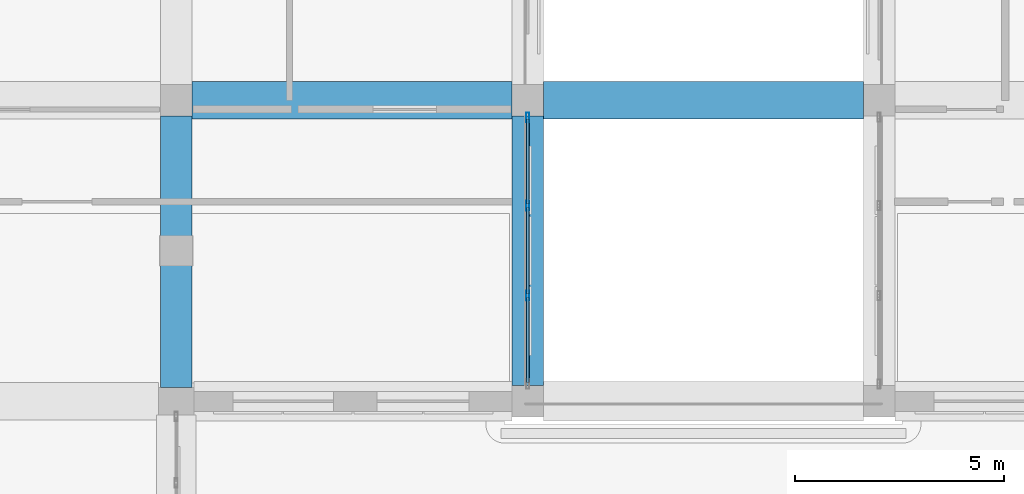
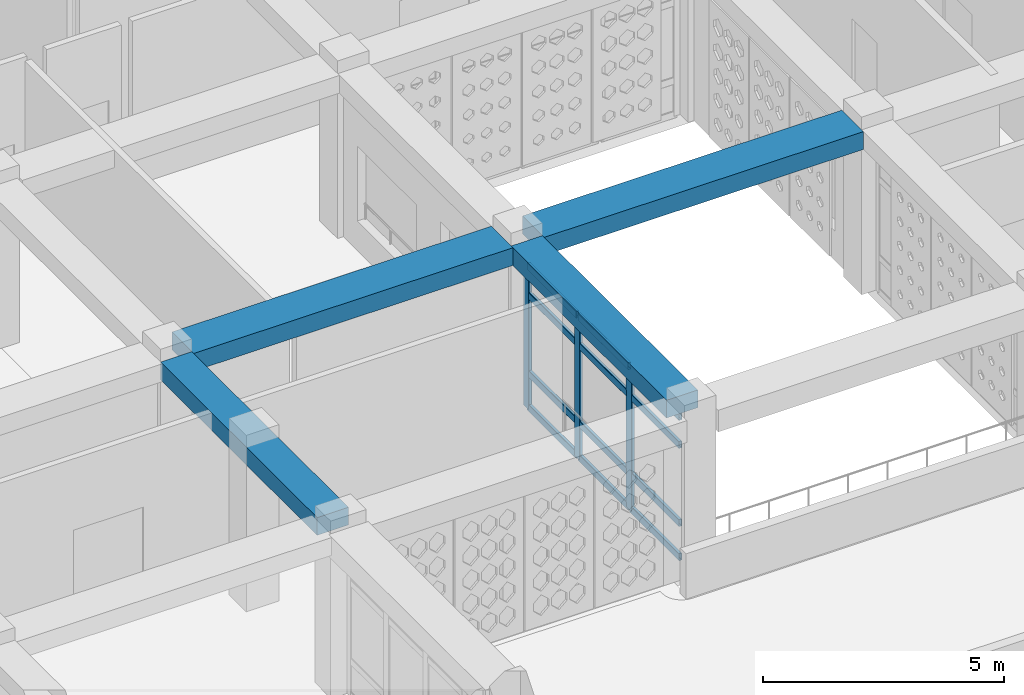
# One storey, part 10 of 111: 15 members, 4 beams, 1 element without a shape of its own.
"""IFC4 building model written with IfcOpenShell, lengths in metres."""

from ifc_helpers import new_model, si_unit, derived_unit, direction, frame, origin, origin_2d, place, context, subcontext, project, spatial, rectangle, hollow_rectangle, extrude, material, material_profile, profile_set, type_object, element, aggregate, save


model = new_model("IFC4")

# Units and contexts
model_context = context("Model", 3, precision=1e-05, world=origin(), true_north=direction((0.0, 1.0)))
body_context = subcontext(model_context, "Body", "Model", "MODEL_VIEW")
ifc_project = project(units=[si_unit("LENGTHUNIT", "METRE"), si_unit("AREAUNIT", "SQUARE_METRE"), si_unit("VOLUMEUNIT", "CUBIC_METRE"), si_unit("PLANEANGLEUNIT", "RADIAN"), si_unit("MASSUNIT", "GRAM", prefix="KILO"), derived_unit("THERMALTRANSMITTANCEUNIT", [(si_unit("POWERUNIT", "WATT"), 1), (si_unit("LENGTHUNIT", "METRE"), -2), (si_unit("THERMODYNAMICTEMPERATUREUNIT", "KELVIN"), -1)])], contexts=[model_context])

# Site, building, storey
site_placement = place(None, origin())
site = spatial("IfcSite", under=ifc_project, at=site_placement, CompositionType="ELEMENT")
building_placement = place(site_placement, origin())
building = spatial("IfcBuilding", under=site, at=building_placement, Name="Veybourne Emporium", CompositionType="ELEMENT")
storey_placement = place(building_placement, frame((0.0, 0.0, 9.89990234375)))
storey = spatial("IfcBuildingStorey", under=building, at=storey_placement, Name="L02", CompositionType="ELEMENT", Elevation=9.89990234375)

# Curtain wall, members
ifc_material_1 = material(Name="Patinated Architectural Bronze", Category="bronze")
curtain_wall_type = type_object("IfcCurtainWallType", Name="CWSystem_CWS-14", PredefinedType="NOTDEFINED", material=ifc_material_1)
curtain_wall_placement = place(storey_placement, origin())
curtain_wall = element("IfcCurtainWall", 1, at=curtain_wall_placement, inside=storey, type_object=curtain_wall_type, Name="L02 bronze glazed curtain wall CWS-14 (030)", PredefinedType="NOTDEFINED")
ifc_material_profile_1 = material_profile(ifc_material_1, hollow_rectangle(XDim=0.074951171875, YDim=0.22998046875, WallThickness=0.0048828125, InnerFilletRadius=0.007568359375, OuterFilletRadius=0.012451171875, at=origin_2d()), Name="CWM 75x230x5")
ifc_profile_set_1 = profile_set([ifc_material_profile_1], Name="Patinated Architectural Bronze")
member_type_1 = type_object("IfcMemberType", Name="CWMullion_CW-M2", PredefinedType="MULLION", material=ifc_profile_set_1)
member_1_placement = place(storey_placement, frame((58.800048828125, 13.987548828125, 0.0), z_axis=(0.0, 0.0, 1.0), x_axis=(1.0, 0.0, 0.0)))
member_1 = element("IfcMember", 2, at=member_1_placement, type_object=member_type_1, Name="CWS-14 mullion 1", PredefinedType="MULLION", context=body_context, shape_type="SweptSolid", body=[
    extrude(hollow_rectangle(XDim=0.074951171875, YDim=0.22998046875, WallThickness=0.0048828125, InnerFilletRadius=0.007568359375, OuterFilletRadius=0.012451171875, at=origin_2d()), origin(), (0.0, 0.0, 1.0), 3.630126953125),
])
member_2_placement = place(storey_placement, frame((58.800048828125, 11.875, 0.0), z_axis=(0.0, 0.0, 1.0), x_axis=(1.0, 0.0, 0.0)))
member_2 = element("IfcMember", 3, at=member_2_placement, type_object=member_type_1, Name="CWS-14 mullion 2", PredefinedType="MULLION", context=body_context, shape_type="SweptSolid", body=[
    extrude(hollow_rectangle(XDim=0.074951171875, YDim=0.22998046875, WallThickness=0.0048828125, InnerFilletRadius=0.007568359375, OuterFilletRadius=0.012451171875, at=origin_2d()), origin(), (0.0, 0.0, 1.0), 3.630126953125),
])
member_3_placement = place(storey_placement, frame((58.800048828125, 9.72509765625, 0.0), z_axis=(0.0, 0.0, 1.0), x_axis=(1.0, 0.0, 0.0)))
member_3 = element("IfcMember", 4, at=member_3_placement, type_object=member_type_1, Name="CWS-14 mullion 3", PredefinedType="MULLION", context=body_context, shape_type="SweptSolid", body=[
    extrude(hollow_rectangle(XDim=0.074951171875, YDim=0.22998046875, WallThickness=0.0048828125, InnerFilletRadius=0.007568359375, OuterFilletRadius=0.012451171875, at=origin_2d()), origin(), (0.0, 0.0, 1.0), 3.630126953125),
])
ifc_material_profile_2 = material_profile(ifc_material_1, hollow_rectangle(XDim=0.074951171875, YDim=0.179931640625, WallThickness=0.0048828125, InnerFilletRadius=0.007568359375, OuterFilletRadius=0.012451171875, at=origin_2d()), Name="CWT 75x180x5")
ifc_profile_set_2 = profile_set([ifc_material_profile_2], Name="Patinated Architectural Bronze")
member_type_2 = type_object("IfcMemberType", Name="CWTransom_CW-T2", PredefinedType="NOTDEFINED", material=ifc_profile_set_2)
member_4_placement = place(storey_placement, frame((58.800048828125, 13.949951171875, 0.03759765625), z_axis=(0.0, -1.0, 0.0), x_axis=(1.0, 0.0, 0.0)))
member_4 = element("IfcMember", 5, at=member_4_placement, type_object=member_type_2, Name="CWS-14 transom 1.1", ObjectType="TRANSOM", PredefinedType="USERDEFINED", context=body_context, shape_type="SweptSolid", body=[
    extrude(hollow_rectangle(XDim=0.074951171875, YDim=0.179931640625, WallThickness=0.0048828125, InnerFilletRadius=0.007568359375, OuterFilletRadius=0.012451171875, at=origin_2d()), origin(), (0.0, 0.0, 1.0), 2.037353515625),
])
member_5_placement = place(storey_placement, frame((58.800048828125, 13.949951171875, 0.900146484375), z_axis=(0.0, -1.0, 0.0), x_axis=(1.0, 0.0, 0.0)))
member_5 = element("IfcMember", 6, at=member_5_placement, type_object=member_type_2, Name="CWS-14 transom 1.2", ObjectType="TRANSOM", PredefinedType="USERDEFINED", context=body_context, shape_type="SweptSolid", body=[
    extrude(hollow_rectangle(XDim=0.074951171875, YDim=0.179931640625, WallThickness=0.0048828125, InnerFilletRadius=0.007568359375, OuterFilletRadius=0.012451171875, at=origin_2d()), origin(), (0.0, 0.0, 1.0), 2.037353515625),
])
member_6_placement = place(storey_placement, frame((58.800048828125, 13.949951171875, 2.880126953125), z_axis=(0.0, -1.0, 0.0), x_axis=(1.0, 0.0, 0.0)))
member_6 = element("IfcMember", 7, at=member_6_placement, type_object=member_type_2, Name="CWS-14 transom 1.3", ObjectType="TRANSOM", PredefinedType="USERDEFINED", context=body_context, shape_type="SweptSolid", body=[
    extrude(hollow_rectangle(XDim=0.074951171875, YDim=0.179931640625, WallThickness=0.0048828125, InnerFilletRadius=0.007568359375, OuterFilletRadius=0.012451171875, at=origin_2d()), origin(), (0.0, 0.0, 1.0), 2.037353515625),
])
member_7_placement = place(storey_placement, frame((58.800048828125, 13.949951171875, 3.592529296875), z_axis=(0.0, -1.0, 0.0), x_axis=(1.0, 0.0, 0.0)))
member_7 = element("IfcMember", 8, at=member_7_placement, type_object=member_type_2, Name="CWS-14 transom 1.4", ObjectType="TRANSOM", PredefinedType="USERDEFINED", context=body_context, shape_type="SweptSolid", body=[
    extrude(hollow_rectangle(XDim=0.074951171875, YDim=0.179931640625, WallThickness=0.0048828125, InnerFilletRadius=0.007568359375, OuterFilletRadius=0.012451171875, at=origin_2d()), origin(), (0.0, 0.0, 1.0), 2.037353515625),
])
member_8_placement = place(storey_placement, frame((58.800048828125, 11.83740234375, 0.03759765625), z_axis=(0.0, -1.0, 0.0), x_axis=(1.0, 0.0, 0.0)))
member_8 = element("IfcMember", 9, at=member_8_placement, type_object=member_type_2, Name="CWS-14 transom 2.1", ObjectType="TRANSOM", PredefinedType="USERDEFINED", context=body_context, shape_type="SweptSolid", body=[
    extrude(hollow_rectangle(XDim=0.074951171875, YDim=0.179931640625, WallThickness=0.0048828125, InnerFilletRadius=0.007568359375, OuterFilletRadius=0.012451171875, at=origin_2d()), origin(), (0.0, 0.0, 1.0), 2.074951171875),
])
member_9_placement = place(storey_placement, frame((58.800048828125, 11.83740234375, 0.900146484375), z_axis=(0.0, -1.0, 0.0), x_axis=(1.0, 0.0, 0.0)))
member_9 = element("IfcMember", 10, at=member_9_placement, type_object=member_type_2, Name="CWS-14 transom 2.2", ObjectType="TRANSOM", PredefinedType="USERDEFINED", context=body_context, shape_type="SweptSolid", body=[
    extrude(hollow_rectangle(XDim=0.074951171875, YDim=0.179931640625, WallThickness=0.0048828125, InnerFilletRadius=0.007568359375, OuterFilletRadius=0.012451171875, at=origin_2d()), origin(), (0.0, 0.0, 1.0), 2.074951171875),
])
member_10_placement = place(storey_placement, frame((58.800048828125, 11.83740234375, 2.880126953125), z_axis=(0.0, -1.0, 0.0), x_axis=(1.0, 0.0, 0.0)))
member_10 = element("IfcMember", 11, at=member_10_placement, type_object=member_type_2, Name="CWS-14 transom 2.3", ObjectType="TRANSOM", PredefinedType="USERDEFINED", context=body_context, shape_type="SweptSolid", body=[
    extrude(hollow_rectangle(XDim=0.074951171875, YDim=0.179931640625, WallThickness=0.0048828125, InnerFilletRadius=0.007568359375, OuterFilletRadius=0.012451171875, at=origin_2d()), origin(), (0.0, 0.0, 1.0), 2.074951171875),
])
member_11_placement = place(storey_placement, frame((58.800048828125, 11.83740234375, 3.592529296875), z_axis=(0.0, -1.0, 0.0), x_axis=(1.0, 0.0, 0.0)))
member_11 = element("IfcMember", 12, at=member_11_placement, type_object=member_type_2, Name="CWS-14 transom 2.4", ObjectType="TRANSOM", PredefinedType="USERDEFINED", context=body_context, shape_type="SweptSolid", body=[
    extrude(hollow_rectangle(XDim=0.074951171875, YDim=0.179931640625, WallThickness=0.0048828125, InnerFilletRadius=0.007568359375, OuterFilletRadius=0.012451171875, at=origin_2d()), origin(), (0.0, 0.0, 1.0), 2.074951171875),
])
member_12_placement = place(storey_placement, frame((58.800048828125, 9.6875, 0.03759765625), z_axis=(0.0, -1.0, 0.0), x_axis=(1.0, 0.0, 0.0)))
member_12 = element("IfcMember", 13, at=member_12_placement, type_object=member_type_2, Name="CWS-14 transom 3.1", ObjectType="TRANSOM", PredefinedType="USERDEFINED", context=body_context, shape_type="SweptSolid", body=[
    extrude(hollow_rectangle(XDim=0.074951171875, YDim=0.179931640625, WallThickness=0.0048828125, InnerFilletRadius=0.007568359375, OuterFilletRadius=0.012451171875, at=origin_2d()), origin(), (0.0, 0.0, 1.0), 2.03759765625),
])
member_13_placement = place(storey_placement, frame((58.800048828125, 9.6875, 0.900146484375), z_axis=(0.0, -1.0, 0.0), x_axis=(1.0, 0.0, 0.0)))
member_13 = element("IfcMember", 14, at=member_13_placement, type_object=member_type_2, Name="CWS-14 transom 3.2", ObjectType="TRANSOM", PredefinedType="USERDEFINED", context=body_context, shape_type="SweptSolid", body=[
    extrude(hollow_rectangle(XDim=0.074951171875, YDim=0.179931640625, WallThickness=0.0048828125, InnerFilletRadius=0.007568359375, OuterFilletRadius=0.012451171875, at=origin_2d()), origin(), (0.0, 0.0, 1.0), 2.03759765625),
])
member_14_placement = place(storey_placement, frame((58.800048828125, 9.6875, 2.880126953125), z_axis=(0.0, -1.0, 0.0), x_axis=(1.0, 0.0, 0.0)))
member_14 = element("IfcMember", 15, at=member_14_placement, type_object=member_type_2, Name="CWS-14 transom 3.3", ObjectType="TRANSOM", PredefinedType="USERDEFINED", context=body_context, shape_type="SweptSolid", body=[
    extrude(hollow_rectangle(XDim=0.074951171875, YDim=0.179931640625, WallThickness=0.0048828125, InnerFilletRadius=0.007568359375, OuterFilletRadius=0.012451171875, at=origin_2d()), origin(), (0.0, 0.0, 1.0), 2.03759765625),
])
member_15_placement = place(storey_placement, frame((58.800048828125, 9.6875, 3.592529296875), z_axis=(0.0, -1.0, 0.0), x_axis=(1.0, 0.0, 0.0)))
member_15 = element("IfcMember", 16, at=member_15_placement, type_object=member_type_2, Name="CWS-14 transom 3.4", ObjectType="TRANSOM", PredefinedType="USERDEFINED", context=body_context, shape_type="SweptSolid", body=[
    extrude(hollow_rectangle(XDim=0.074951171875, YDim=0.179931640625, WallThickness=0.0048828125, InnerFilletRadius=0.007568359375, OuterFilletRadius=0.012451171875, at=origin_2d()), origin(), (0.0, 0.0, 1.0), 2.03759765625),
])
aggregate(curtain_wall, [member_1, member_2, member_3, member_4, member_5, member_6, member_7, member_8, member_9, member_10, member_11, member_12, member_13, member_14, member_15])

# Beams
ifc_material_2 = material(Name="Concrete C32/40", Category="concrete")
ifc_material_profile_3 = material_profile(ifc_material_2, rectangle(XDim=0.89990234375, YDim=0.449951171875, at=origin_2d()), Name="RC 900x450")
ifc_profile_set_3 = profile_set([ifc_material_profile_3], Name="Concrete C32/40")
beam_type_1 = type_object("IfcBeamType", Name="RCBeam_BB-03", PredefinedType="BEAM", material=ifc_profile_set_3)
beam_1_placement = place(storey_placement, frame((50.77490234375, 14.39990234375, 3.955078125), z_axis=(1.0, 0.0, 0.0), x_axis=(0.0, 1.0, 0.0)))
element("IfcBeam", 17, at=beam_1_placement, inside=storey, type_object=beam_type_1, Name="L02 X-grid beam BB-03 (6,2)", PredefinedType="BEAM", context=body_context, shape_type="SweptSolid", body=[
    extrude(rectangle(XDim=0.89990234375, YDim=0.449951171875, at=origin_2d()), origin(), (0.0, 0.0, 1.0), 7.650146484375),
])
beam_2_placement = place(storey_placement, frame((59.175048828125, 14.39990234375, 3.955078125), z_axis=(1.0, 0.0, 0.0), x_axis=(0.0, 1.0, 0.0)))
element("IfcBeam", 18, at=beam_2_placement, inside=storey, type_object=beam_type_1, Name="L02 X-grid beam BB-03 (7,2)", PredefinedType="BEAM", context=body_context, shape_type="SweptSolid", body=[
    extrude(rectangle(XDim=0.89990234375, YDim=0.449951171875, at=origin_2d()), origin(), (0.0, 0.0, 1.0), 7.64990234375),
])
ifc_material_profile_4 = material_profile(ifc_material_2, rectangle(XDim=0.75, YDim=0.449951171875, at=origin_2d()), Name="RC 750x450")
ifc_profile_set_4 = profile_set([ifc_material_profile_4], Name="Concrete C32/40")
beam_type_2 = type_object("IfcBeamType", Name="RCBeam_BB-04", PredefinedType="BEAM", material=ifc_profile_set_4)
beam_3_placement = place(storey_placement, frame((50.39990234375, 7.52490234375, 3.955078125), z_axis=(0.0, 1.0, 0.0), x_axis=(-1.0, 0.0, 0.0)))
element("IfcBeam", 19, at=beam_3_placement, inside=storey, type_object=beam_type_2, Name="L02 Y-grid beam BB-04 (6,1)", PredefinedType="BEAM", context=body_context, shape_type="SweptSolid", body=[
    extrude(rectangle(XDim=0.75, YDim=0.449951171875, at=origin_2d()), origin(), (0.0, 0.0, 1.0), 6.5),
])
beam_4_placement = place(storey_placement, frame((58.800048828125, 7.574951171875, 3.955078125), z_axis=(0.0, 1.0, 0.0), x_axis=(-1.0, 0.0, 0.0)))
element("IfcBeam", 20, at=beam_4_placement, inside=storey, type_object=beam_type_2, Name="L02 Y-grid beam BB-04 (7,1)", PredefinedType="BEAM", context=body_context, shape_type="SweptSolid", body=[
    extrude(rectangle(XDim=0.75, YDim=0.449951171875, at=origin_2d()), origin(), (0.0, 0.0, 1.0), 6.449951171875),
])

save(model, "model.ifc")
